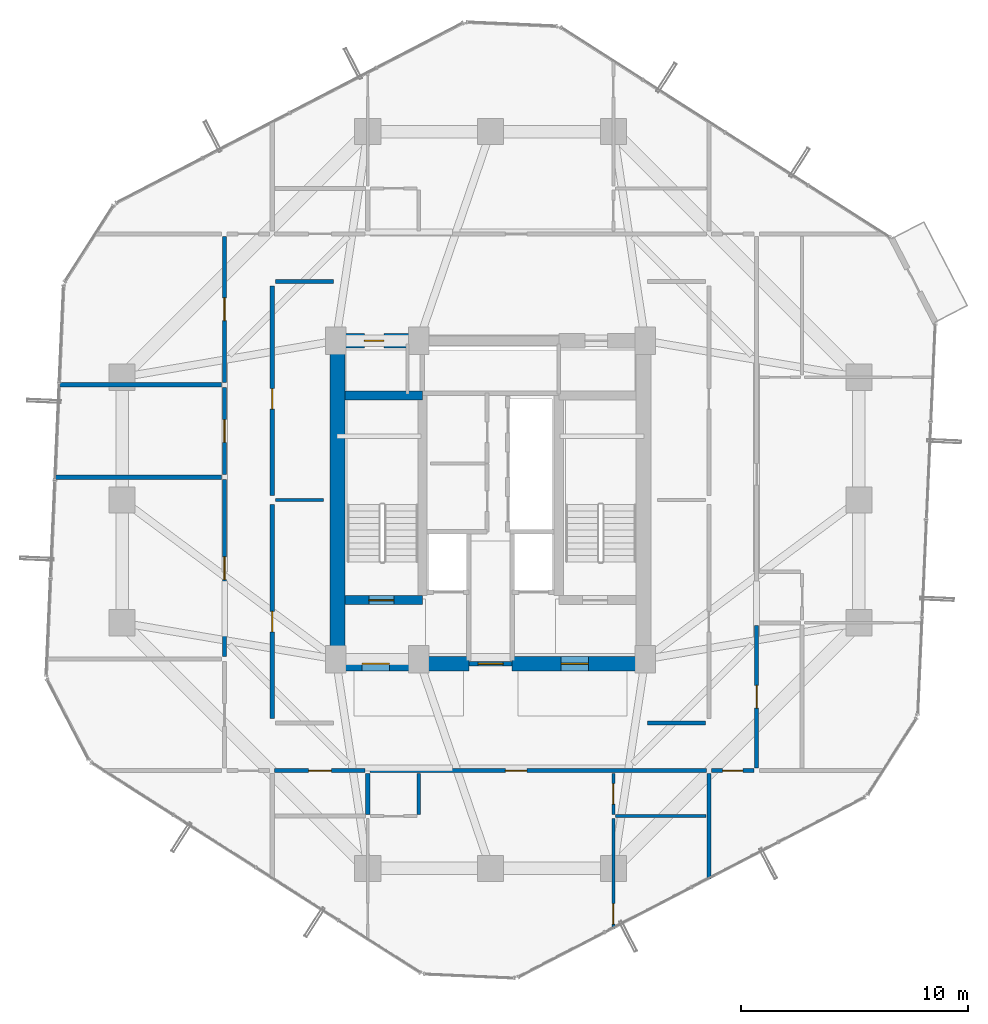
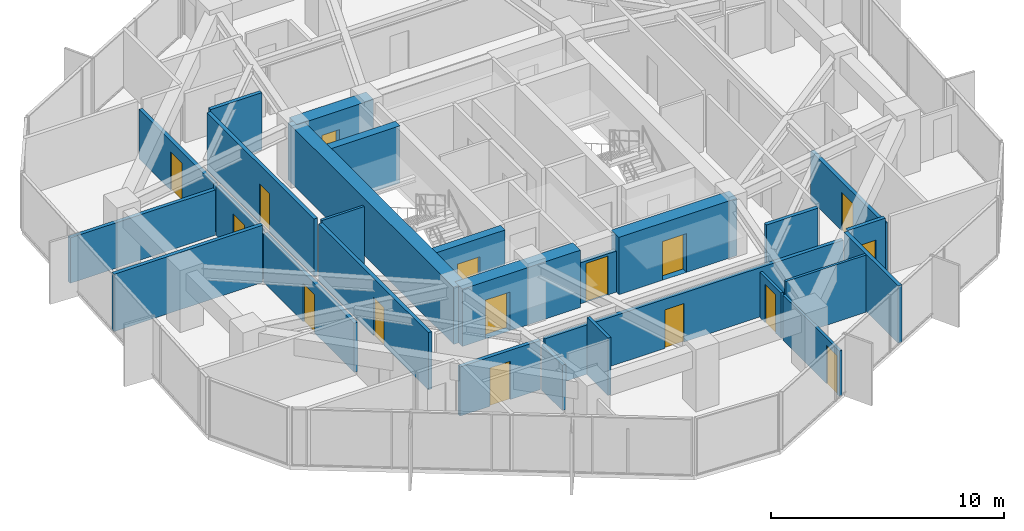
# One storey, part 26 of 30: 27 walls, 16 doors, 16 openings.
"""IFC4 building model written with IfcOpenShell, lengths in metres."""

from ifc_helpers import new_model, si_unit, direction, frame, frame_2d, origin, place, context, subcontext, project, spatial, rectangle, extrude, source, transform, mapped, material, layer, layer_set, type_object, element, fill, save


model = new_model("IFC4")

# Units and contexts
model_context = context("Model", 3, precision=1e-05, world=origin(), true_north=direction((0.0, 1.0)))
body_context = subcontext(model_context, "Body", "Model", "MODEL_VIEW")
ifc_project = project(units=[si_unit("LENGTHUNIT", "METRE"), si_unit("AREAUNIT", "SQUARE_METRE"), si_unit("VOLUMEUNIT", "CUBIC_METRE"), si_unit("PLANEANGLEUNIT", "RADIAN"), si_unit("MASSUNIT", "GRAM", prefix="KILO")], contexts=[model_context])

# Site, building, storey
site_placement = place(None, origin())
site = spatial("IfcSite", under=ifc_project, at=site_placement, CompositionType="ELEMENT")
building_placement = place(site_placement, origin())
building = spatial("IfcBuilding", under=site, at=building_placement, Name="Veraguas Prism Commons", CompositionType="ELEMENT")
storey_placement = place(building_placement, frame((0.0, 0.0, 119.75)))
storey = spatial("IfcBuildingStorey", under=building, at=storey_placement, Name="L33", CompositionType="ELEMENT", Elevation=119.75)

# Wall, opening, door
ifc_material_1 = material(Name="Concrete C50/60", Category="concrete")
ifc_layer_1 = layer(ifc_material_1, 0.39990234375, Name="Clinic and Mid Core Shear Wall RC 400", Category="concrete")
ifc_layer_set_1 = layer_set([ifc_layer_1], Name="Concrete C50/60")
wall_type_1 = type_object("IfcWallType", Name="Clinic and Mid Core Shear Wall RC 400", PredefinedType="SHEAR", material=ifc_layer_set_1)
wall_1_placement = place(storey_placement, frame((17.60009765625, 19.60009765625, 0.0), z_axis=(0.0, 0.0, 1.0), x_axis=(1.0, 0.0, 0.0)))
wall_1 = element("IfcWall", 1, at=wall_1_placement, inside=storey, type_object=wall_type_1, Name="Stair ST-01 South Shear Wall L33", PredefinedType="SHEAR", context=body_context, shape_type="SweptSolid", body=[
    extrude(rectangle(XDim=3.39990234375, YDim=0.39990234375, at=frame_2d((1.699951171875, 0.0))), origin(), (0.0, 0.0, 1.0), 3.0),
])
opening_1_placement = place(wall_1_placement, frame((1.050048828125, 0.0, 0.0)))
opening_1 = element("IfcOpeningElement", 2, at=opening_1_placement, cuts=wall_1, Name="Opening DR-05", PredefinedType="OPENING", context=body_context, shape_type="SweptSolid", body=[
    extrude(rectangle(XDim=1.10009765625, YDim=2.030029296875, at=frame_2d((0.550048828125, 1.01513671875))), frame((0.0, 0.2099609375, 0.0), z_axis=(0.0, -1.0, 0.0), x_axis=(1.0, 0.0, 0.0)), (0.0, 0.0, 1.0), 0.419921875),
])
ifc_material_2 = material(Name="Steel fire-rated door assembly", Category="steel")
door_type_1 = type_object("IfcDoorType", Name="Protected Stair and Refuge Fire Door 1100x2030", OperationType="NOTDEFINED", PredefinedType="DOOR", material=ifc_material_2)
shared_shape_1 = source(origin(), body_context, "Body", "SweptSolid", [
    extrude(rectangle(XDim=1.10009765625, YDim=2.030029296875, at=frame_2d((0.550048828125, 1.01513671875))), frame((0.0, 0.02490234375, 0.0), z_axis=(0.0, -1.0, 0.0), x_axis=(1.0, 0.0, 0.0)), (0.0, 0.0, 1.0), 0.050048828125),
])
door_1_placement = place(opening_1_placement, origin())
door_1 = element("IfcDoor", 3, at=door_1_placement, inside=storey, type_object=door_type_1, Name="Stair ST-01 Enclosure Door L33", OperationType="SINGLE_SWING_RIGHT", OverallHeight=2.030029296875, OverallWidth=1.10009765625, PredefinedType="DOOR", context=body_context, shape_type="MappedRepresentation", body=[
    mapped(shared_shape_1, transform((0.0, 0.0, 0.0), scale=1.0)),
])
fill(opening_1, door_1)

# Walls
wall_2_placement = place(storey_placement, frame((17.60009765625, 28.60009765625, 0.0), z_axis=(0.0, 0.0, 1.0), x_axis=(1.0, 0.0, 0.0)))
element("IfcWall", 4, at=wall_2_placement, inside=storey, type_object=wall_type_1, Name="Stair ST-01 North Shear Wall L33", PredefinedType="SHEAR", context=body_context, shape_type="SweptSolid", body=[
    extrude(rectangle(XDim=3.39990234375, YDim=0.39990234375, at=frame_2d((1.699951171875, 0.0))), origin(), (0.0, 0.0, 1.0), 3.0),
])
ifc_material_3 = material(Name="Concrete C55/67", Category="concrete")
ifc_layer_2 = layer(ifc_material_3, 0.64990234375, Name="Core Outer Shear Wall Mid RC 650", Category="concrete")
ifc_layer_set_2 = layer_set([ifc_layer_2], Name="Concrete C55/67")
wall_type_2 = type_object("IfcWallType", Name="Core Outer Shear Wall Mid RC 650", PredefinedType="SHEAR", material=ifc_layer_set_2)
wall_3_placement = place(storey_placement, frame((17.27490234375, 16.800048828125, 0.0), z_axis=(0.0, 0.0, 1.0), x_axis=(0.0, 1.0, 0.0)))
element("IfcWall", 5, at=wall_3_placement, inside=storey, type_object=wall_type_2, Name="Central Core West Shear Wall L33", PredefinedType="SHEAR", context=body_context, shape_type="SweptSolid", body=[
    extrude(rectangle(XDim=14.199951171875, YDim=0.64990234375, at=frame_2d((7.10009765625, 0.0))), origin(), (0.0, 0.0, 1.0), 3.0),
])

# Wall, opening, door
wall_4_placement = place(storey_placement, frame((17.199951171875, 16.800048828125, 0.0), z_axis=(0.0, 0.0, 1.0), x_axis=(1.0, 0.0, 0.0)))
wall_4 = element("IfcWall", 6, at=wall_4_placement, inside=storey, type_object=wall_type_2, Name="Central Core South-West Shear Wall L33", PredefinedType="SHEAR", context=body_context, shape_type="SweptSolid", body=[
    extrude(rectangle(XDim=5.85009765625, YDim=0.64990234375, at=frame_2d((2.925048828125, 0.0))), origin(), (0.0, 0.0, 1.0), 3.0),
])
opening_2_placement = place(wall_4_placement, frame((1.14990234375, 0.0, 0.0)))
opening_2 = element("IfcOpeningElement", 7, at=opening_2_placement, cuts=wall_4, Name="Opening DR-06", PredefinedType="OPENING", context=body_context, shape_type="SweptSolid", body=[
    extrude(rectangle(XDim=1.199951171875, YDim=2.030029296875, at=frame_2d((0.60009765625, 1.01513671875))), frame((0.0, 0.3349609375, 0.0), z_axis=(0.0, -1.0, 0.0), x_axis=(1.0, 0.0, 0.0)), (0.0, 0.0, 1.0), 0.669921875),
])
door_type_2 = type_object("IfcDoorType", Name="Firefighting Lobby Smoke Door 1200x2030", OperationType="NOTDEFINED", PredefinedType="DOOR", material=ifc_material_2)
shared_shape_2 = source(origin(), body_context, "Body", "SweptSolid", [
    extrude(rectangle(XDim=1.199951171875, YDim=2.030029296875, at=frame_2d((0.60009765625, 1.01513671875))), frame((0.0, 0.02490234375, 0.0), z_axis=(0.0, -1.0, 0.0), x_axis=(1.0, 0.0, 0.0)), (0.0, 0.0, 1.0), 0.050048828125),
])
door_2_placement = place(opening_2_placement, origin())
door_2 = element("IfcDoor", 8, at=door_2_placement, inside=storey, type_object=door_type_2, Name="West FF Lobby Door L33", OperationType="SINGLE_SWING_LEFT", OverallHeight=2.030029296875, OverallWidth=1.199951171875, PredefinedType="DOOR", context=body_context, shape_type="MappedRepresentation", body=[
    mapped(shared_shape_2, transform((0.0, 0.0, 0.0), scale=1.0)),
])
fill(opening_2, door_2)

wall_5_placement = place(storey_placement, frame((24.949951171875, 16.800048828125, 0.0), z_axis=(0.0, 0.0, 1.0), x_axis=(1.0, 0.0, 0.0)))
wall_5 = element("IfcWall", 9, at=wall_5_placement, inside=storey, type_object=wall_type_2, Name="Central Core South-East Shear Wall L33", PredefinedType="SHEAR", context=body_context, shape_type="SweptSolid", body=[
    extrude(rectangle(XDim=5.85009765625, YDim=0.64990234375, at=frame_2d((2.925048828125, 0.0))), origin(), (0.0, 0.0, 1.0), 3.0),
])
opening_3_placement = place(wall_5_placement, frame((2.14990234375, 0.0, 0.0)))
opening_3 = element("IfcOpeningElement", 10, at=opening_3_placement, cuts=wall_5, Name="Opening DR-06", PredefinedType="OPENING", context=body_context, shape_type="SweptSolid", body=[
    extrude(rectangle(XDim=1.199951171875, YDim=2.030029296875, at=frame_2d((0.60009765625, 1.01513671875))), frame((0.0, 0.3349609375, 0.0), z_axis=(0.0, -1.0, 0.0), x_axis=(1.0, 0.0, 0.0)), (0.0, 0.0, 1.0), 0.669921875),
])
door_3_placement = place(opening_3_placement, origin())
door_3 = element("IfcDoor", 11, at=door_3_placement, inside=storey, type_object=door_type_2, Name="East FF Lobby Door L33", OperationType="SINGLE_SWING_LEFT", OverallHeight=2.030029296875, OverallWidth=1.199951171875, PredefinedType="DOOR", context=body_context, shape_type="MappedRepresentation", body=[
    mapped(shared_shape_2, transform((0.0, 0.0, 0.0), scale=1.0)),
])
fill(opening_3, door_3)

wall_6_placement = place(storey_placement, frame((17.199951171875, 31.0, 0.0), z_axis=(0.0, 0.0, 1.0), x_axis=(1.0, 0.0, 0.0)))
wall_6 = element("IfcWall", 12, at=wall_6_placement, inside=storey, type_object=wall_type_2, Name="Central Core North-West Shear Wall L33", PredefinedType="SHEAR", context=body_context, shape_type="SweptSolid", body=[
    extrude(rectangle(XDim=3.800048828125, YDim=0.64990234375, at=frame_2d((1.89990234375, 0.0))), origin(), (0.0, 0.0, 1.0), 3.0),
])
opening_4_placement = place(wall_6_placement, frame((1.25, 0.0, 0.0)))
opening_4 = element("IfcOpeningElement", 13, at=opening_4_placement, cuts=wall_6, Name="Opening DR-12", PredefinedType="OPENING", context=body_context, shape_type="SweptSolid", body=[
    extrude(rectangle(XDim=0.860107421875, YDim=2.010009765625, at=frame_2d((0.43017578125, 1.0048828125))), frame((0.0, 0.3349609375, 0.0), z_axis=(0.0, -1.0, 0.0), x_axis=(1.0, 0.0, 0.0)), (0.0, 0.0, 1.0), 0.669921875),
])
door_type_3 = type_object("IfcDoorType", Name="Core WC Fire Door 860x2010", OperationType="NOTDEFINED", PredefinedType="DOOR", material=ifc_material_2)
shared_shape_3 = source(origin(), body_context, "Body", "SweptSolid", [
    extrude(rectangle(XDim=0.860107421875, YDim=2.010009765625, at=frame_2d((0.43017578125, 1.0048828125))), frame((0.0, 0.02490234375, 0.0), z_axis=(0.0, -1.0, 0.0), x_axis=(1.0, 0.0, 0.0)), (0.0, 0.0, 1.0), 0.050048828125),
])
door_4_placement = place(opening_4_placement, origin())
door_4 = element("IfcDoor", 14, at=door_4_placement, inside=storey, type_object=door_type_3, Name="Core NW Service Door L33", OperationType="SINGLE_SWING_RIGHT", OverallHeight=2.010009765625, OverallWidth=0.860107421875, PredefinedType="DOOR", context=body_context, shape_type="MappedRepresentation", body=[
    mapped(shared_shape_3, transform((0.0, 0.0, 0.0), scale=1.0)),
])
fill(opening_4, door_4)

ifc_material_4 = material(Name="Autoclaved aerated masonry block 10 MPa", Category="masonry")
ifc_layer_3 = layer(ifc_material_4, 0.179931640625, Name="Corridor and Inter-Tenancy Partition 180", Category="masonry")
ifc_layer_set_3 = layer_set([ifc_layer_3], Name="Autoclaved aerated masonry block 10 MPa")
wall_type_3 = type_object("IfcWallType", Name="Corridor and Inter-Tenancy Partition 180", PredefinedType="PARTITIONING", material=ifc_layer_set_3)
wall_7_placement = place(storey_placement, frame((14.39990234375, 14.39990234375, 0.0), z_axis=(0.0, 0.0, 1.0), x_axis=(0.0, 1.0, 0.0)))
wall_7 = element("IfcWall", 15, at=wall_7_placement, inside=storey, type_object=wall_type_3, Name="WL-L33-IRW1", PredefinedType="PARTITIONING", context=body_context, shape_type="SweptSolid", body=[
    extrude(rectangle(XDim=9.400146484375, YDim=0.179931640625, at=frame_2d((4.7001953125, 0.0))), origin(), (0.0, 0.0, 1.0), 3.0),
])
opening_5_placement = place(wall_7_placement, frame((3.800048828125, 0.0, 0.0)))
opening_5 = element("IfcOpeningElement", 16, at=opening_5_placement, cuts=wall_7, Name="Opening DR-14", PredefinedType="OPENING", context=body_context, shape_type="SweptSolid", body=[
    extrude(rectangle(XDim=0.89990234375, YDim=2.010009765625, at=frame_2d((0.449951171875, 1.0048828125))), frame((0.0, 0.099853515625, 0.0), z_axis=(0.0, -1.0, 0.0), x_axis=(1.0, 0.0, 0.0)), (0.0, 0.0, 1.0), 0.199951171875),
])
door_type_4 = type_object("IfcDoorType", Name="Core Service Room Fire Door 900x2010", OperationType="NOTDEFINED", PredefinedType="DOOR", material=ifc_material_2)
shared_shape_4 = source(origin(), body_context, "Body", "SweptSolid", [
    extrude(rectangle(XDim=0.89990234375, YDim=2.010009765625, at=frame_2d((0.449951171875, 1.0048828125))), frame((0.0, 0.02490234375, 0.0), z_axis=(0.0, -1.0, 0.0), x_axis=(1.0, 0.0, 0.0)), (0.0, 0.0, 1.0), 0.050048828125),
])
door_5_placement = place(opening_5_placement, origin())
door_5 = element("IfcDoor", 17, at=door_5_placement, inside=storey, type_object=door_type_4, Name="Residents Quiet Study Pod Door L33", OperationType="SINGLE_SWING_RIGHT", OverallHeight=2.010009765625, OverallWidth=0.89990234375, PredefinedType="DOOR", context=body_context, shape_type="MappedRepresentation", body=[
    mapped(shared_shape_4, transform((0.0, 0.0, 0.0), scale=1.0)),
])
fill(opening_5, door_5)

wall_8_placement = place(storey_placement, frame((14.39990234375, 24.199951171875, 0.0), z_axis=(0.0, 0.0, 1.0), x_axis=(0.0, 1.0, 0.0)))
wall_8 = element("IfcWall", 18, at=wall_8_placement, inside=storey, type_object=wall_type_3, Name="WL-L33-IRW2", PredefinedType="PARTITIONING", context=body_context, shape_type="SweptSolid", body=[
    extrude(rectangle(XDim=9.199951171875, YDim=0.179931640625, at=frame_2d((4.60009765625, 0.0))), origin(), (0.0, 0.0, 1.0), 3.0),
])
opening_6_placement = place(wall_8_placement, frame((3.800048828125, 0.0, 0.0)))
opening_6 = element("IfcOpeningElement", 19, at=opening_6_placement, cuts=wall_8, Name="Opening DR-14", PredefinedType="OPENING", context=body_context, shape_type="SweptSolid", body=[
    extrude(rectangle(XDim=0.89990234375, YDim=2.010009765625, at=frame_2d((0.449951171875, 1.0048828125))), frame((0.0, 0.099853515625, 0.0), z_axis=(0.0, -1.0, 0.0), x_axis=(1.0, 0.0, 0.0)), (0.0, 0.0, 1.0), 0.199951171875),
])
door_6_placement = place(opening_6_placement, origin())
door_6 = element("IfcDoor", 20, at=door_6_placement, inside=storey, type_object=door_type_4, Name="Co-op Cycle and Pram Store Door L33", OperationType="SINGLE_SWING_LEFT", OverallHeight=2.010009765625, OverallWidth=0.89990234375, PredefinedType="DOOR", context=body_context, shape_type="MappedRepresentation", body=[
    mapped(shared_shape_4, transform((0.0, 0.0, 0.0), scale=1.0)),
])
fill(opening_6, door_6)

# Walls
for number, where, z_axis, x_axis, name in (
    (21, (14.550048828125, 33.60009765625, 0.0), (0.0, 0.0, 1.0), (1.0, 0.0, 0.0), "WL-L33-IRWN"),
    (22, (30.89990234375, 14.199951171875, 0.0), (0.0, 0.0, 1.0), (1.0, 0.0, 0.0), "WL-L33-IRES"),
):
    element("IfcWall", number, at=place(storey_placement, frame(where, z_axis=z_axis, x_axis=x_axis)), inside=storey, type_object=wall_type_3, Name=name, PredefinedType="PARTITIONING", context=body_context, shape_type="SweptSolid", body=[
        extrude(rectangle(XDim=2.550048828125, YDim=0.179931640625, at=frame_2d((1.27490234375, 0.0))), origin(), (0.0, 0.0, 1.0), 3.0),
    ])
wall_9_placement = place(storey_placement, frame((33.60009765625, 11.97998046875, 0.0), z_axis=(0.0, 0.0, 1.0), x_axis=(0.0, -1.0, 0.0)))
element("IfcWall", 23, at=wall_9_placement, inside=storey, type_object=wall_type_3, Name="WL-L33-PT002", PredefinedType="PARTITIONING", context=body_context, shape_type="SweptSolid", body=[
    extrude(rectangle(XDim=4.643310546875, YDim=0.179931640625, at=frame_2d((2.32177734375, 0.0))), origin(), (0.0, 0.0, 1.0), 3.0),
])

# Wall, opening, door
wall_10_placement = place(storey_placement, frame((14.510009765625, 12.10009765625, 0.0), z_axis=(0.0, 0.0, 1.0), x_axis=(1.0, 0.0, 0.0)))
wall_10 = element("IfcWall", 24, at=wall_10_placement, inside=storey, type_object=wall_type_3, Name="WL-L33-PT003", PredefinedType="PARTITIONING", context=body_context, shape_type="SweptSolid", body=[
    extrude(rectangle(XDim=3.97998046875, YDim=0.179931640625, at=frame_2d((1.989990234375, 0.0))), origin(), (0.0, 0.0, 1.0), 2.580078125),
])
opening_7_placement = place(wall_10_placement, frame((1.489990234375, 0.0, 0.0)))
opening_7 = element("IfcOpeningElement", 25, at=opening_7_placement, cuts=wall_10, Name="Opening DR-13", PredefinedType="OPENING", context=body_context, shape_type="SweptSolid", body=[
    extrude(rectangle(XDim=1.0, YDim=2.010009765625, at=frame_2d((0.5, 1.0048828125))), frame((0.0, 0.099853515625, 0.0), z_axis=(0.0, -1.0, 0.0), x_axis=(1.0, 0.0, 0.0)), (0.0, 0.0, 1.0), 0.199951171875),
])
door_type_5 = type_object("IfcDoorType", Name="Core Accessible WC and Clinic Fire Door 1000x2010", OperationType="NOTDEFINED", PredefinedType="DOOR", material=ifc_material_2)
shared_shape_5 = source(origin(), body_context, "Body", "SweptSolid", [
    extrude(rectangle(XDim=1.0, YDim=2.010009765625, at=frame_2d((0.5, 1.0048828125))), frame((0.0, 0.02490234375, 0.0), z_axis=(0.0, -1.0, 0.0), x_axis=(1.0, 0.0, 0.0)), (0.0, 0.0, 1.0), 0.050048828125),
])
door_7_placement = place(opening_7_placement, origin())
door_7 = element("IfcDoor", 26, at=door_7_placement, inside=storey, type_object=door_type_5, Name="Residents Study Alcove 33A Door", OperationType="SINGLE_SWING_RIGHT", OverallHeight=2.010009765625, OverallWidth=1.0, PredefinedType="DOOR", context=body_context, shape_type="MappedRepresentation", body=[
    mapped(shared_shape_5, transform((0.0, 0.0, 0.0), scale=1.0)),
])
fill(opening_7, door_7)

wall_11_placement = place(storey_placement, frame((18.7099609375, 12.10009765625, 0.0), z_axis=(0.0, 0.0, 1.0), x_axis=(1.0, 0.0, 0.0)))
wall_11 = element("IfcWall", 27, at=wall_11_placement, inside=storey, type_object=wall_type_3, Name="WL-L33-PT004", PredefinedType="PARTITIONING", context=body_context, shape_type="SweptSolid", body=[
    extrude(rectangle(XDim=14.780029296875, YDim=0.179931640625, at=frame_2d((7.39013671875, 0.0))), origin(), (0.0, 0.0, 1.0), 2.580078125),
])
opening_8_placement = place(wall_11_placement, frame((5.93994140625, 0.0, 0.0)))
opening_8 = element("IfcOpeningElement", 28, at=opening_8_placement, cuts=wall_11, Name="Opening DR-01", PredefinedType="OPENING", context=body_context, shape_type="SweptSolid", body=[
    extrude(rectangle(XDim=0.949951171875, YDim=2.02001953125, at=frame_2d((0.47509765625, 1.010009765625))), frame((0.0, 0.099853515625, 0.0), z_axis=(0.0, -1.0, 0.0), x_axis=(1.0, 0.0, 0.0)), (0.0, 0.0, 1.0), 0.199951171875),
])
ifc_material_5 = material(Name="Anodised aluminium EN AW-6063 T6", Category="aluminium")
door_type_6 = type_object("IfcDoorType", Name="Apartment Entrance Fire Door 950x2020", OperationType="NOTDEFINED", PredefinedType="DOOR", material=ifc_material_5)
shared_shape_6 = source(origin(), body_context, "Body", "SweptSolid", [
    extrude(rectangle(XDim=0.949951171875, YDim=2.02001953125, at=frame_2d((0.47509765625, 1.010009765625))), frame((0.0, 0.02490234375, 0.0), z_axis=(0.0, -1.0, 0.0), x_axis=(1.0, 0.0, 0.0)), (0.0, 0.0, 1.0), 0.050048828125),
])
door_8_placement = place(opening_8_placement, origin())
door_8 = element("IfcDoor", 29, at=door_8_placement, inside=storey, type_object=door_type_6, Name="Flat 33A Entrance Door", OperationType="SINGLE_SWING_LEFT", OverallHeight=2.02001953125, OverallWidth=0.949951171875, PredefinedType="DOOR", context=body_context, shape_type="MappedRepresentation", body=[
    mapped(shared_shape_6, transform((0.0, 0.0, 0.0), scale=1.0)),
])
fill(opening_8, door_8)

# Wall
wall_12_placement = place(storey_placement, frame((18.60009765625, 11.97998046875, 0.0), z_axis=(0.0, 0.0, 1.0), x_axis=(0.0, -1.0, 0.0)))
element("IfcWall", 30, at=wall_12_placement, inside=storey, type_object=wall_type_3, Name="WL-L33-PT006", PredefinedType="PARTITIONING", context=body_context, shape_type="SweptSolid", body=[
    extrude(rectangle(XDim=1.800048828125, YDim=0.179931640625, at=frame_2d((0.89990234375, 0.0))), origin(), (0.0, 0.0, 1.0), 2.3779296875),
])

# Wall, opening, door
wall_13_placement = place(storey_placement, frame((12.300048828125, 17.113037109375, 0.0), z_axis=(0.0, 0.0, 1.0), x_axis=(0.0, 1.0, 0.0)))
wall_13 = element("IfcWall", 31, at=wall_13_placement, inside=storey, type_object=wall_type_3, Name="WL-L33-PT028", PredefinedType="PARTITIONING", context=body_context, shape_type="SweptSolid", body=[
    extrude(rectangle(XDim=7.779052734375, YDim=0.179931640625, at=frame_2d((3.8896484375, 0.0))), origin(), (0.0, 0.0, 1.0), 2.580078125),
])
opening_9_placement = place(wall_13_placement, frame((3.389404296875, 0.0, 0.0)))
opening_9 = element("IfcOpeningElement", 32, at=opening_9_placement, cuts=wall_13, Name="Opening DR-13", PredefinedType="OPENING", context=body_context, shape_type="SweptSolid", body=[
    extrude(rectangle(XDim=1.0, YDim=2.010009765625, at=frame_2d((0.5, 1.0048828125))), frame((0.0, 0.099853515625, 0.0), z_axis=(0.0, -1.0, 0.0), x_axis=(1.0, 0.0, 0.0)), (0.0, 0.0, 1.0), 0.199951171875),
])
door_9_placement = place(opening_9_placement, origin())
door_9 = element("IfcDoor", 33, at=door_9_placement, inside=storey, type_object=door_type_5, Name="Co-op Store W Door", OperationType="SINGLE_SWING_LEFT", OverallHeight=2.010009765625, OverallWidth=1.0, PredefinedType="DOOR", context=body_context, shape_type="MappedRepresentation", body=[
    mapped(shared_shape_5, transform((0.0, 0.0, 0.0), scale=1.0)),
])
fill(opening_9, door_9)

# Wall
wall_14_placement = place(storey_placement, frame((12.179931640625, 25.001953125, 0.0), z_axis=(0.0, 0.0, 1.0), x_axis=(-1.0, 0.0, 0.0)))
element("IfcWall", 34, at=wall_14_placement, inside=storey, type_object=wall_type_3, Name="WL-L33-PT030", PredefinedType="PARTITIONING", context=body_context, shape_type="SweptSolid", body=[
    extrude(rectangle(XDim=7.36669921875, YDim=0.179931640625, at=frame_2d((3.683349609375, 0.0))), origin(), (0.0, 0.0, 1.0), 3.0),
])

# Wall, opening, door
wall_15_placement = place(storey_placement, frame((12.300048828125, 25.112060546875, 0.0), z_axis=(0.0, 0.0, 1.0), x_axis=(0.0, 1.0, 0.0)))
wall_15 = element("IfcWall", 35, at=wall_15_placement, inside=storey, type_object=wall_type_3, Name="WL-L33-PT031", PredefinedType="PARTITIONING", context=body_context, shape_type="SweptSolid", body=[
    extrude(rectangle(XDim=3.844970703125, YDim=0.179931640625, at=frame_2d((1.92236328125, 0.0))), origin(), (0.0, 0.0, 1.0), 2.580078125),
])
opening_10_placement = place(wall_15_placement, frame((1.422607421875, 0.0, 0.0)))
opening_10 = element("IfcOpeningElement", 36, at=opening_10_placement, cuts=wall_15, Name="Opening DR-13", PredefinedType="OPENING", context=body_context, shape_type="SweptSolid", body=[
    extrude(rectangle(XDim=1.0, YDim=2.010009765625, at=frame_2d((0.5, 1.0048828125))), frame((0.0, 0.099853515625, 0.0), z_axis=(0.0, -1.0, 0.0), x_axis=(1.0, 0.0, 0.0)), (0.0, 0.0, 1.0), 0.199951171875),
])
door_10_placement = place(opening_10_placement, origin())
door_10 = element("IfcDoor", 37, at=door_10_placement, inside=storey, type_object=door_type_5, Name="Shared Laundry Room Door", OperationType="SINGLE_SWING_RIGHT", OverallHeight=2.010009765625, OverallWidth=1.0, PredefinedType="DOOR", context=body_context, shape_type="MappedRepresentation", body=[
    mapped(shared_shape_5, transform((0.0, 0.0, 0.0), scale=1.0)),
])
fill(opening_10, door_10)

wall_16_placement = place(storey_placement, frame((12.300048828125, 29.177001953125, 0.0), z_axis=(0.0, 0.0, 1.0), x_axis=(0.0, 1.0, 0.0)))
wall_16 = element("IfcWall", 38, at=wall_16_placement, inside=storey, type_object=wall_type_3, Name="WL-L33-PT032", PredefinedType="PARTITIONING", context=body_context, shape_type="SweptSolid", body=[
    extrude(rectangle(XDim=6.4130859375, YDim=0.179931640625, at=frame_2d((3.20654296875, 0.0))), origin(), (0.0, 0.0, 1.0), 2.580078125),
])
opening_11_placement = place(wall_16_placement, frame((2.70654296875, 0.0, 0.0)))
opening_11 = element("IfcOpeningElement", 39, at=opening_11_placement, cuts=wall_16, Name="Opening DR-13", PredefinedType="OPENING", context=body_context, shape_type="SweptSolid", body=[
    extrude(rectangle(XDim=1.0, YDim=2.010009765625, at=frame_2d((0.5, 1.0048828125))), frame((0.0, 0.099853515625, 0.0), z_axis=(0.0, -1.0, 0.0), x_axis=(1.0, 0.0, 0.0)), (0.0, 0.0, 1.0), 0.199951171875),
])
door_11_placement = place(opening_11_placement, origin())
door_11 = element("IfcDoor", 40, at=door_11_placement, inside=storey, type_object=door_type_5, Name="Co-op Store W Door", OperationType="SINGLE_SWING_LEFT", OverallHeight=2.010009765625, OverallWidth=1.0, PredefinedType="DOOR", context=body_context, shape_type="MappedRepresentation", body=[
    mapped(shared_shape_5, transform((0.0, 0.0, 0.0), scale=1.0)),
])
fill(opening_11, door_11)

# Wall
wall_17_placement = place(storey_placement, frame((12.179931640625, 29.06689453125, 0.0), z_axis=(0.0, 0.0, 1.0), x_axis=(-1.0, 0.0, 0.0)))
element("IfcWall", 41, at=wall_17_placement, inside=storey, type_object=wall_type_3, Name="WL-L33-PT033", PredefinedType="PARTITIONING", context=body_context, shape_type="SweptSolid", body=[
    extrude(rectangle(XDim=7.18505859375, YDim=0.179931640625, at=frame_2d((3.592529296875, 0.0))), origin(), (0.0, 0.0, 1.0), 2.3779296875),
])

# Wall, opening, door
wall_18_placement = place(storey_placement, frame((35.699951171875, 12.2099609375, 0.0), z_axis=(0.0, 0.0, 1.0), x_axis=(0.0, 1.0, 0.0)))
wall_18 = element("IfcWall", 42, at=wall_18_placement, inside=storey, type_object=wall_type_3, Name="WL-L33-PT036", PredefinedType="PARTITIONING", context=body_context, shape_type="SweptSolid", body=[
    extrude(rectangle(XDim=6.280029296875, YDim=0.179931640625, at=frame_2d((3.14013671875, 0.0))), origin(), (0.0, 0.0, 1.0), 2.580078125),
])
opening_12_placement = place(wall_18_placement, frame((2.639892578125, 0.0, 0.0)))
opening_12 = element("IfcOpeningElement", 43, at=opening_12_placement, cuts=wall_18, Name="Opening DR-13", PredefinedType="OPENING", context=body_context, shape_type="SweptSolid", body=[
    extrude(rectangle(XDim=1.0, YDim=2.010009765625, at=frame_2d((0.5, 1.0048828125))), frame((0.0, 0.099853515625, 0.0), z_axis=(0.0, -1.0, 0.0), x_axis=(1.0, 0.0, 0.0)), (0.0, 0.0, 1.0), 0.199951171875),
])
door_12_placement = place(opening_12_placement, origin())
door_12 = element("IfcDoor", 44, at=door_12_placement, inside=storey, type_object=door_type_5, Name="Residents Study Alcove 33C Door", OperationType="SINGLE_SWING_RIGHT", OverallHeight=2.010009765625, OverallWidth=1.0, PredefinedType="DOOR", context=body_context, shape_type="MappedRepresentation", body=[
    mapped(shared_shape_5, transform((0.0, 0.0, 0.0), scale=1.0)),
])
fill(opening_12, door_12)

wall_19_placement = place(storey_placement, frame((33.719970703125, 12.10009765625, 0.0), z_axis=(0.0, 0.0, 1.0), x_axis=(1.0, 0.0, 0.0)))
wall_19 = element("IfcWall", 45, at=wall_19_placement, inside=storey, type_object=wall_type_3, Name="WL-L33-PT047", PredefinedType="PARTITIONING", context=body_context, shape_type="SweptSolid", body=[
    extrude(rectangle(XDim=1.860107421875, YDim=0.179931640625, at=frame_2d((0.93017578125, 0.0))), origin(), (0.0, 0.0, 1.0), 3.0),
])
opening_13_placement = place(wall_19_placement, frame((0.47998046875, 0.0, 0.0)))
opening_13 = element("IfcOpeningElement", 46, at=opening_13_placement, cuts=wall_19, Name="Opening DR-14", PredefinedType="OPENING", context=body_context, shape_type="SweptSolid", body=[
    extrude(rectangle(XDim=0.89990234375, YDim=2.010009765625, at=frame_2d((0.449951171875, 1.0048828125))), frame((0.0, 0.099853515625, 0.0), z_axis=(0.0, -1.0, 0.0), x_axis=(1.0, 0.0, 0.0)), (0.0, 0.0, 1.0), 0.199951171875),
])
door_13_placement = place(opening_13_placement, origin())
door_13 = element("IfcDoor", 47, at=door_13_placement, inside=storey, type_object=door_type_4, Name="Residents Cycle and Pram Store SE Door", OperationType="SINGLE_SWING_LEFT", OverallHeight=2.010009765625, OverallWidth=0.89990234375, PredefinedType="DOOR", context=body_context, shape_type="MappedRepresentation", body=[
    mapped(shared_shape_4, transform((0.0, 0.0, 0.0), scale=1.0)),
])
fill(opening_13, door_13)

# Wall
ifc_material_6 = material(Name="Lightweight acoustic gypsum board")
ifc_layer_4 = layer(ifc_material_6, 0.125, Name="Internal Apartment Room Partition 125")
ifc_layer_set_4 = layer_set([ifc_layer_4], Name="Lightweight acoustic gypsum board")
wall_type_4 = type_object("IfcWallType", Name="Internal Apartment Room Partition 125", PredefinedType="PARTITIONING", material=ifc_layer_set_4)
wall_20_placement = place(storey_placement, frame((14.550048828125, 24.0, 0.0), z_axis=(0.0, 0.0, 1.0), x_axis=(1.0, 0.0, 0.0)))
element("IfcWall", 48, at=wall_20_placement, inside=storey, type_object=wall_type_4, Name="WL-L33-IRWM", PredefinedType="PARTITIONING", context=body_context, shape_type="SweptSolid", body=[
    extrude(rectangle(XDim=2.099853515625, YDim=0.125, at=frame_2d((1.0498046875, 0.0))), origin(), (0.0, 0.0, 1.0), 3.0),
])

# Wall, opening, door
wall_21_placement = place(storey_placement, frame((29.39990234375, 11.97998046875, 0.0), z_axis=(0.0, 0.0, 1.0), x_axis=(0.0, -1.0, 0.0)))
wall_21 = element("IfcWall", 49, at=wall_21_placement, inside=storey, type_object=wall_type_4, Name="WL-L33-PT010", PredefinedType="PARTITIONING", context=body_context, shape_type="SweptSolid", body=[
    extrude(rectangle(XDim=1.800048828125, YDim=0.125, at=frame_2d((0.89990234375, 0.0))), origin(), (0.0, 0.0, 1.0), 2.3779296875),
])
opening_14_placement = place(wall_21_placement, frame((0.449951171875, 0.0, 0.0)))
opening_14 = element("IfcOpeningElement", 50, at=opening_14_placement, cuts=wall_21, Name="Opening DR-02", PredefinedType="OPENING", context=body_context, shape_type="SweptSolid", body=[
    extrude(rectangle(XDim=0.89990234375, YDim=2.010009765625, at=frame_2d((0.449951171875, 1.0048828125))), frame((0.0, 0.072509765625, 0.0), z_axis=(0.0, -1.0, 0.0), x_axis=(1.0, 0.0, 0.0)), (0.0, 0.0, 1.0), 0.14501953125),
])
ifc_material_7 = material(Name="Timber solid core hardwood", Category="wood")
door_type_7 = type_object("IfcDoorType", Name="Internal Habitable Room Door 900x2010", OperationType="NOTDEFINED", PredefinedType="DOOR", material=ifc_material_7)
door_14_placement = place(opening_14_placement, origin())
door_14 = element("IfcDoor", 51, at=door_14_placement, inside=storey, type_object=door_type_7, Name="Flat 33A Kitchen Door", OperationType="SINGLE_SWING_RIGHT", OverallHeight=2.010009765625, OverallWidth=0.89990234375, PredefinedType="DOOR", context=body_context, shape_type="MappedRepresentation", body=[
    mapped(shared_shape_4, transform((0.0, 0.0, 0.0), scale=1.0)),
])
fill(opening_14, door_14)

# Wall
wall_22_placement = place(storey_placement, frame((29.5, 10.10009765625, 0.0), z_axis=(0.0, 0.0, 1.0), x_axis=(1.0, 0.0, 0.0)))
element("IfcWall", 52, at=wall_22_placement, inside=storey, type_object=wall_type_4, Name="WL-L33-PT011", PredefinedType="PARTITIONING", context=body_context, shape_type="SweptSolid", body=[
    extrude(rectangle(XDim=3.97998046875, YDim=0.125, at=frame_2d((1.989990234375, 0.0))), origin(), (0.0, 0.0, 1.0), 3.0),
])

# Wall, opening, door
wall_23_placement = place(storey_placement, frame((29.39990234375, 10.0, 0.0), z_axis=(0.0, 0.0, 1.0), x_axis=(0.0, -1.0, 0.0)))
wall_23 = element("IfcWall", 53, at=wall_23_placement, inside=storey, type_object=wall_type_4, Name="WL-L33-PT012", PredefinedType="PARTITIONING", context=body_context, shape_type="SweptSolid", body=[
    extrude(rectangle(XDim=4.843994140625, YDim=0.125, at=frame_2d((2.421875, 0.0))), origin(), (0.0, 0.0, 1.0), 2.3779296875),
])
opening_15_placement = place(wall_23_placement, frame((3.744140625, 0.0, 0.0)))
opening_15 = element("IfcOpeningElement", 54, at=opening_15_placement, cuts=wall_23, Name="Opening DR-02", PredefinedType="OPENING", context=body_context, shape_type="SweptSolid", body=[
    extrude(rectangle(XDim=0.89990234375, YDim=2.010009765625, at=frame_2d((0.449951171875, 1.0048828125))), frame((0.0, 0.072509765625, 0.0), z_axis=(0.0, -1.0, 0.0), x_axis=(1.0, 0.0, 0.0)), (0.0, 0.0, 1.0), 0.14501953125),
])
door_15_placement = place(opening_15_placement, origin())
door_15 = element("IfcDoor", 55, at=door_15_placement, inside=storey, type_object=door_type_7, Name="Flat 33A Bedroom 1 Door", OperationType="SINGLE_SWING_LEFT", OverallHeight=2.010009765625, OverallWidth=0.89990234375, PredefinedType="DOOR", context=body_context, shape_type="MappedRepresentation", body=[
    mapped(shared_shape_4, transform((0.0, 0.0, 0.0), scale=1.0)),
])
fill(opening_15, door_15)

ifc_layer_5 = layer(ifc_material_4, 0.199951171875, Name="Rated Shaft and Lobby Block Wall 200", Category="masonry")
ifc_layer_set_5 = layer_set([ifc_layer_5], Name="Autoclaved aerated masonry block 10 MPa")
wall_type_5 = type_object("IfcWallType", Name="Rated Shaft and Lobby Block Wall 200", PredefinedType="SOLIDWALL", material=ifc_layer_set_5)
wall_24_placement = place(storey_placement, frame((23.050048828125, 16.800048828125, 0.0), z_axis=(0.0, 0.0, 1.0), x_axis=(1.0, 0.0, 0.0)))
wall_24 = element("IfcWall", 56, at=wall_24_placement, inside=storey, type_object=wall_type_5, Name="Central Core Lobby Entrance Wall L33", PredefinedType="SOLIDWALL", context=body_context, shape_type="SweptSolid", body=[
    extrude(rectangle(XDim=1.89990234375, YDim=0.199951171875, at=frame_2d((0.949951171875, 0.0))), origin(), (0.0, 0.0, 1.0), 2.14990234375),
])
opening_16_placement = place(wall_24_placement, frame((0.39990234375, 0.0, 0.0)))
opening_16 = element("IfcOpeningElement", 57, at=opening_16_placement, cuts=wall_24, Name="Opening DR-05", PredefinedType="OPENING", context=body_context, shape_type="SweptSolid", body=[
    extrude(rectangle(XDim=1.10009765625, YDim=2.030029296875, at=frame_2d((0.550048828125, 1.01513671875))), frame((0.0, 0.10986328125, 0.0), z_axis=(0.0, -1.0, 0.0), x_axis=(1.0, 0.0, 0.0)), (0.0, 0.0, 1.0), 0.219970703125),
])
door_16_placement = place(opening_16_placement, origin())
door_16 = element("IfcDoor", 58, at=door_16_placement, inside=storey, type_object=door_type_1, Name="Central Lobby Door L33", OperationType="SINGLE_SWING_RIGHT", OverallHeight=2.030029296875, OverallWidth=1.10009765625, PredefinedType="DOOR", context=body_context, shape_type="MappedRepresentation", body=[
    mapped(shared_shape_1, transform((0.0, 0.0, 0.0), scale=1.0)),
])
fill(opening_16, door_16)

# Wall
ifc_layer_6 = layer(ifc_material_6, 0.14990234375, Name="Wet Room and Clinic Acoustic Partition 150")
ifc_layer_set_6 = layer_set([ifc_layer_6], Name="Lightweight acoustic gypsum board")
wall_type_6 = type_object("IfcWallType", Name="Wet Room and Clinic Acoustic Partition 150", PredefinedType="PARTITIONING", material=ifc_layer_set_6)
wall_25_placement = place(storey_placement, frame((20.85009765625, 11.97998046875, 0.0), z_axis=(0.0, 0.0, 1.0), x_axis=(0.0, -1.0, 0.0)))
element("IfcWall", 59, at=wall_25_placement, inside=storey, type_object=wall_type_6, Name="WL-L33-PT008", PredefinedType="PARTITIONING", context=body_context, shape_type="SweptSolid", body=[
    extrude(rectangle(XDim=1.800048828125, YDim=0.14990234375, at=frame_2d((0.89990234375, 0.0))), origin(), (0.0, 0.0, 1.0), 3.0),
])

save(model, "model.ifc")
